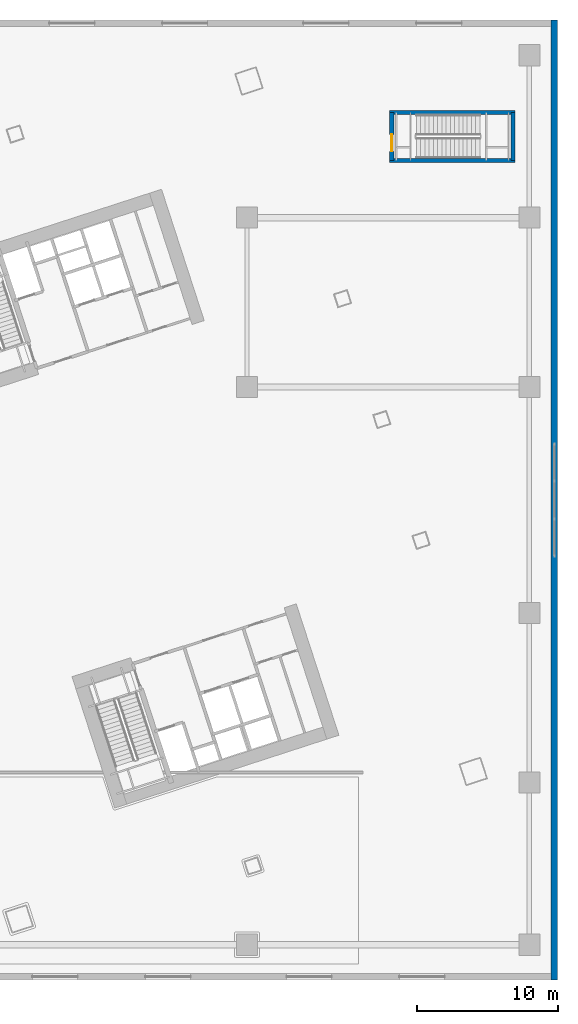
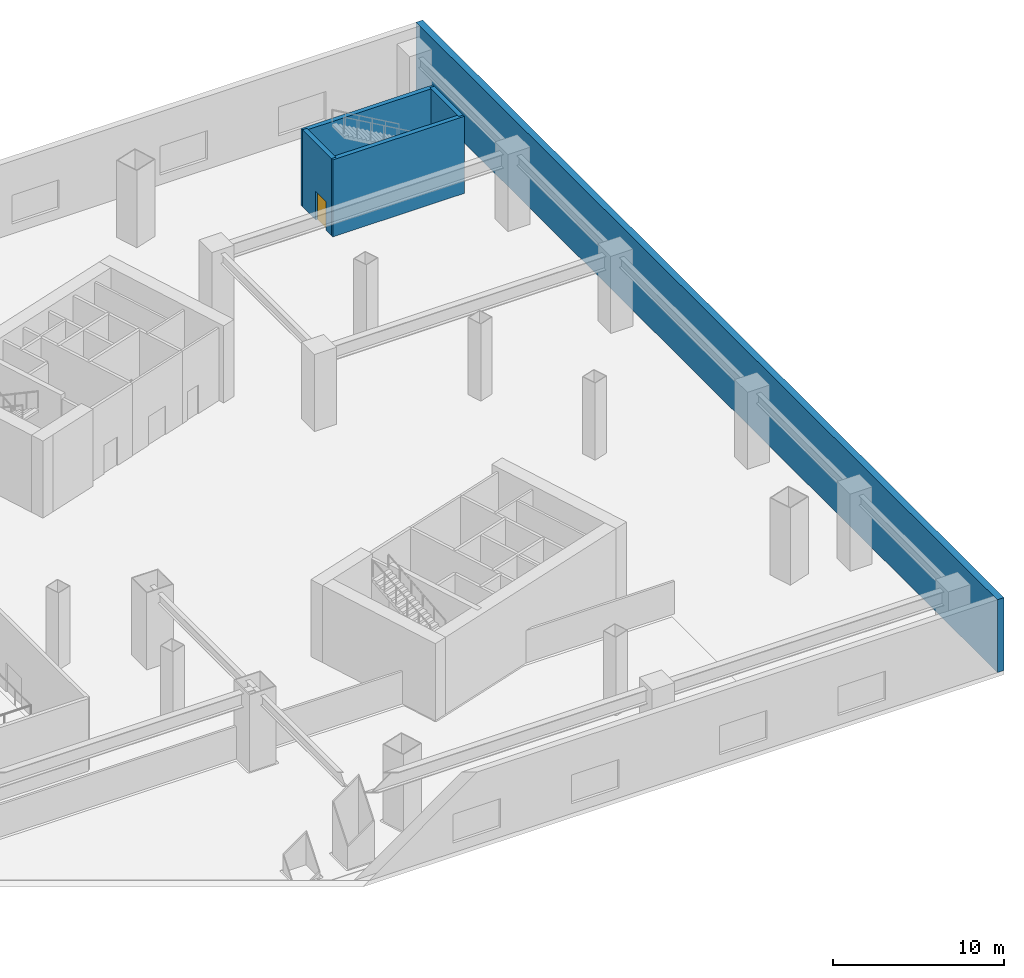
# One storey, part 28 of 35: 5 walls, 1 door, 1 opening.
"""IFC4 building model written with IfcOpenShell, lengths in metres."""

from ifc_helpers import new_model, si_unit, direction, frame, frame_2d, origin, place, context, subcontext, project, spatial, rectangle, extrude, material, layer, layer_set, type_object, element, fill, save


model = new_model("IFC4")

# Units and contexts
model_context = context("Model", 3, precision=1e-05, world=origin(), true_north=direction((0.0, 1.0)))
body_context = subcontext(model_context, "Body", "Model", "MODEL_VIEW")
ifc_project = project(units=[si_unit("LENGTHUNIT", "METRE"), si_unit("AREAUNIT", "SQUARE_METRE"), si_unit("VOLUMEUNIT", "CUBIC_METRE"), si_unit("PLANEANGLEUNIT", "RADIAN"), si_unit("MASSUNIT", "GRAM", prefix="KILO")], contexts=[model_context])

# Site, building, storey
site_placement = place(None, origin())
site = spatial("IfcSite", under=ifc_project, at=site_placement, CompositionType="ELEMENT")
building_placement = place(site_placement, origin())
building = spatial("IfcBuilding", under=site, at=building_placement, Name="Qiaolan Cultural Towers", CompositionType="ELEMENT")
storey_placement = place(building_placement, frame((0.0, 0.0, 6.0)))
storey = spatial("IfcBuildingStorey", under=building, at=storey_placement, Name="L01", CompositionType="ELEMENT", Elevation=6.0)

# Walls
ifc_material_1 = material(Name="Concrete C50", Category="concrete")
ifc_layer_1 = layer(ifc_material_1, 0.35009765625)
ifc_layer_set_1 = layer_set([ifc_layer_1], Name="Concrete C50")
wall_type_1 = type_object("IfcWallType", Name="WL-CORE-350", PredefinedType="SHEAR", material=ifc_layer_set_1)
for number, where, z_axis, x_axis, name in (
    (1, (108.10009765625, 58.050048828125, 0.0), (0.0, 0.0, 1.0), (1.0, 0.0, 0.0), "L01 STP2 Stair Shaft Wall S"),
    (2, (108.10009765625, 61.449951171875, 0.0), (0.0, 0.0, 1.0), (1.0, 0.0, 0.0), "L01 STP2 Stair Shaft Wall N"),
):
    element("IfcWall", number, at=place(storey_placement, frame(where, z_axis=z_axis, x_axis=x_axis)), inside=storey, type_object=wall_type_1, Name=name, PredefinedType="SHEAR", context=body_context, shape_type="SweptSolid", body=[
        extrude(rectangle(XDim=8.89990234375, YDim=0.300048828125, at=frame_2d((4.449951171875, 0.0))), origin(), (0.0, 0.0, 1.0), 5.5),
    ])
wall_1_placement = place(storey_placement, frame((116.85009765625, 58.050048828125, 0.0), z_axis=(0.0, 0.0, 1.0), x_axis=(0.0, 1.0, 0.0)))
element("IfcWall", 3, at=wall_1_placement, inside=storey, type_object=wall_type_1, Name="L01 STP2 Stair Shaft Wall E", PredefinedType="SHEAR", context=body_context, shape_type="SweptSolid", body=[
    extrude(rectangle(XDim=3.39990234375, YDim=0.300048828125, at=frame_2d((1.699951171875, 0.0))), origin(), (0.0, 0.0, 1.0), 5.5),
])

# Wall, opening, door
wall_2_placement = place(storey_placement, frame((108.25, 58.050048828125, 0.0), z_axis=(0.0, 0.0, 1.0), x_axis=(0.0, 1.0, 0.0)))
wall_2 = element("IfcWall", 4, at=wall_2_placement, inside=storey, type_object=wall_type_1, Name="L01 STP2 Stair Shaft Wall W", PredefinedType="SHEAR", context=body_context, shape_type="SweptSolid", body=[
    extrude(rectangle(XDim=3.39990234375, YDim=0.300048828125, at=frame_2d((1.699951171875, 0.0))), origin(), (0.0, 0.0, 1.0), 5.5),
])
opening_placement = place(wall_2_placement, frame((0.64990234375, 0.0, 0.0)))
opening = element("IfcOpeningElement", 5, at=opening_placement, cuts=wall_2, Name="Opening FD-03", PredefinedType="OPENING", context=body_context, shape_type="SweptSolid", body=[
    extrude(rectangle(XDim=1.199951171875, YDim=2.050048828125, at=frame_2d((0.60009765625, 1.02490234375))), frame((0.0, 0.159912109375, 0.0), z_axis=(0.0, -1.0, 0.0), x_axis=(1.0, 0.0, 0.0)), (0.0, 0.0, 1.0), 0.320068359375),
])
ifc_material_2 = material(Name="Galvanized Steel Smokeproof Lobby Fire Door", Category="steel")
door_type = type_object("IfcDoorType", Name="DR-FD90-1200", OperationType="NOTDEFINED", PredefinedType="DOOR", material=ifc_material_2)
door_placement = place(opening_placement, origin())
door = element("IfcDoor", 6, at=door_placement, inside=storey, type_object=door_type, Name="L01 Exit Stair ST-P2 Fire Door", OperationType="SINGLE_SWING_LEFT", OverallHeight=2.050048828125, OverallWidth=1.199951171875, PredefinedType="DOOR", context=body_context, shape_type="SweptSolid", body=[
    extrude(rectangle(XDim=1.199951171875, YDim=2.050048828125, at=frame_2d((0.60009765625, 1.02490234375))), frame((0.0, 0.02490234375, 0.0), z_axis=(0.0, -1.0, 0.0), x_axis=(1.0, 0.0, 0.0)), (0.0, 0.0, 1.0), 0.050048828125),
])
fill(opening, door)

# Wall
ifc_material_3 = material(Name="Precast Concrete C50 Bush-Hammered Granite Pier", Category="masonry")
ifc_layer_2 = layer(ifc_material_3, 0.449951171875)
ifc_layer_set_2 = layer_set([ifc_layer_2], Name="Precast Concrete C50 Bush-Hammered Granite Pier")
wall_type_2 = type_object("IfcWallType", Name="WL-EXT-POD-450", PredefinedType="SOLIDWALL", material=ifc_layer_set_2)
wall_3_placement = place(storey_placement, frame((119.77490234375, 68.0, 0.0), z_axis=(0.0, 0.0, 1.0), x_axis=(0.0, -1.0, 0.0)))
element("IfcWall", 7, at=wall_3_placement, inside=storey, type_object=wall_type_2, Name="L01 Podium Precast Facade Wall EAST", PredefinedType="SOLIDWALL", context=body_context, shape_type="SweptSolid", body=[
    extrude(rectangle(XDim=68.0, YDim=0.449951171875, at=frame_2d((34.0, 0.0))), origin(), (0.0, 0.0, 1.0), 5.199951171875),
])

save(model, "model.ifc")
